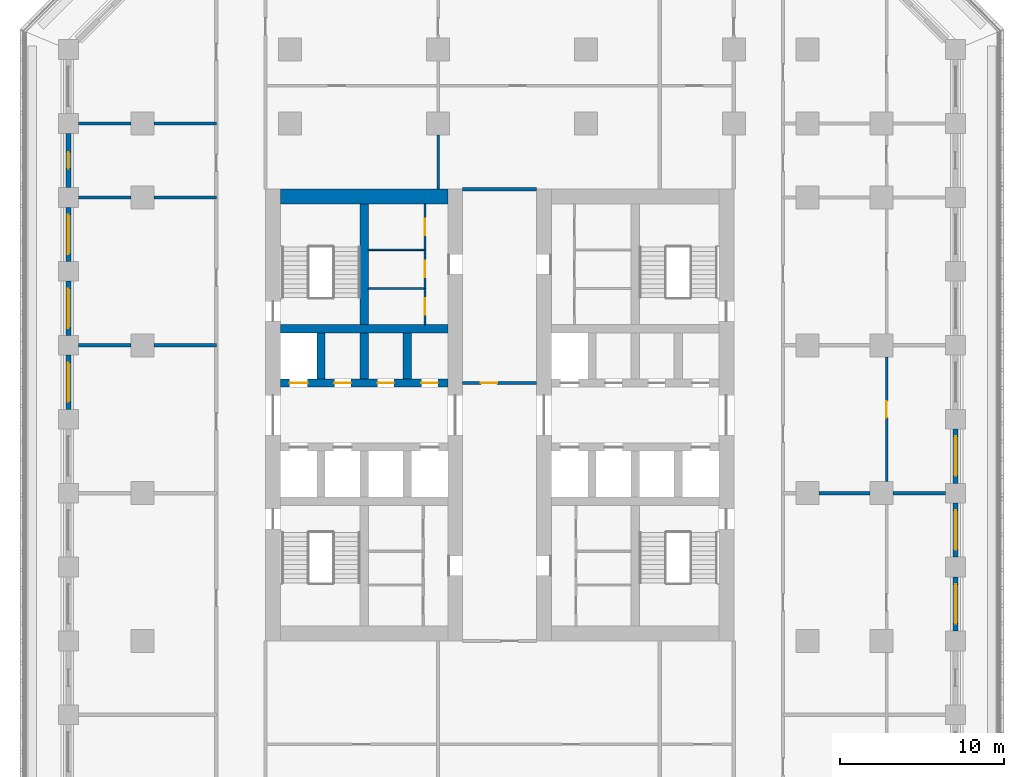
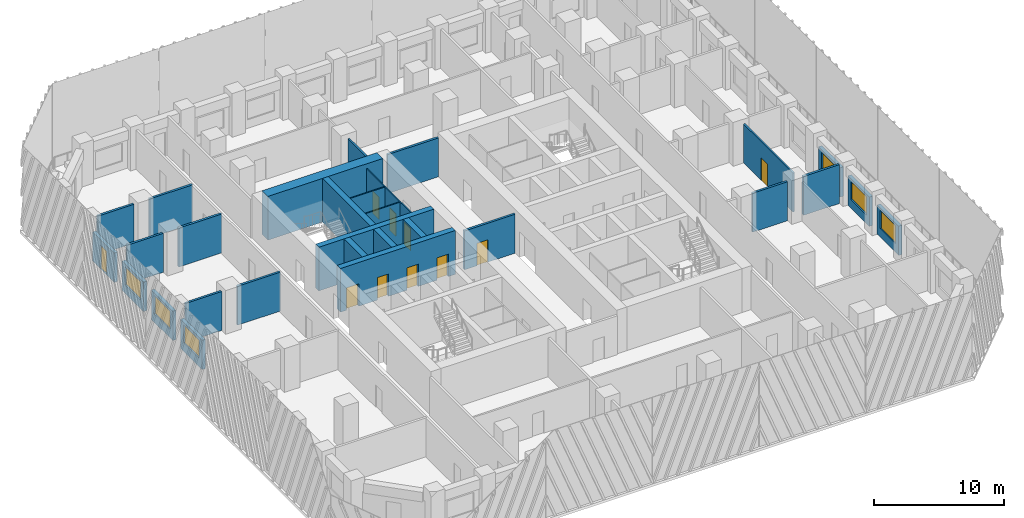
# One storey, part 6 of 19: 31 walls, 10 doors, 6 windows, 16 openings.
"""IFC4 building model written with IfcOpenShell, lengths in metres."""

from ifc_helpers import new_model, si_unit, direction, frame, frame_2d, origin, place, context, subcontext, project, spatial, rectangle, extrude, material, layer, layer_set, type_object, element, fill, save


model = new_model("IFC4")

# Units and contexts
model_context = context("Model", 3, precision=1e-05, world=origin(), true_north=direction((0.0, 1.0)))
body_context = subcontext(model_context, "Body", "Model", "MODEL_VIEW")
ifc_project = project(units=[si_unit("LENGTHUNIT", "METRE"), si_unit("AREAUNIT", "SQUARE_METRE"), si_unit("VOLUMEUNIT", "CUBIC_METRE"), si_unit("PLANEANGLEUNIT", "RADIAN"), si_unit("MASSUNIT", "GRAM", prefix="KILO")], contexts=[model_context])

# Site, building, storey
site_placement = place(None, origin())
site = spatial("IfcSite", under=ifc_project, at=site_placement, CompositionType="ELEMENT")
building_placement = place(site_placement, origin())
building = spatial("IfcBuilding", under=site, at=building_placement, Name="Corbel Stack Research Tower", CompositionType="ELEMENT")
storey_placement = place(building_placement, frame((0.0, 0.0, 90.199951171875)))
storey = spatial("IfcBuildingStorey", under=building, at=storey_placement, Name="L20", CompositionType="ELEMENT", Elevation=90.199951171875)

# Wall, openings, doors
ifc_material_1 = material(Name="Concrete C70/85", Category="concrete")
ifc_layer_1 = layer(ifc_material_1, 0.5)
ifc_layer_set_1 = layer_set([ifc_layer_1], Name="Concrete C70/85")
wall_type_1 = type_object("IfcWallType", Name="CW-500-70", PredefinedType="SHEAR", material=ifc_layer_set_1)
wall_1_placement = place(storey_placement, frame((-9.60009765625, 6.699951171875, 0.0), z_axis=(0.0, 0.0, 1.0), x_axis=(1.0, 0.0, 0.0)))
wall_1 = element("IfcWall", 1, at=wall_1_placement, inside=storey, type_object=wall_type_1, Name="West core wall, lobby north L20", PredefinedType="SHEAR", context=body_context, shape_type="SweptSolid", body=[
    extrude(rectangle(XDim=10.2001953125, YDim=0.5, at=frame_2d((5.10009765625, 0.0))), origin(), (0.0, 0.0, 1.0), 4.10009765625),
])
opening_1_placement = place(wall_1_placement, frame((0.5625, 0.0, 0.0)))
opening_1 = element("IfcOpeningElement", 2, at=opening_1_placement, cuts=wall_1, Name="Opening LD-LR2", PredefinedType="OPENING", context=body_context, shape_type="SweptSolid", body=[
    extrude(rectangle(XDim=1.10009765625, YDim=2.10009765625, at=frame_2d((0.550048828125, 1.050048828125))), frame((0.0, 0.260009765625, 0.0), z_axis=(0.0, -1.0, 0.0), x_axis=(1.0, 0.0, 0.0)), (0.0, 0.0, 1.0), 0.52001953125),
])
opening_2_placement = place(wall_1_placement, frame((3.28759765625, 0.0, 0.0)))
opening_2 = element("IfcOpeningElement", 3, at=opening_2_placement, cuts=wall_1, Name="Opening CR-W12-N2", PredefinedType="OPENING", context=body_context, shape_type="SweptSolid", body=[
    extrude(rectangle(XDim=1.0, YDim=2.10009765625, at=frame_2d((0.5, 1.050048828125))), frame((0.0, 0.260009765625, 0.0), z_axis=(0.0, -1.0, 0.0), x_axis=(1.0, 0.0, 0.0)), (0.0, 0.0, 1.0), 0.52001953125),
])
opening_3_placement = place(wall_1_placement, frame((5.91259765625, 0.0, 0.0)))
opening_3 = element("IfcOpeningElement", 4, at=opening_3_placement, cuts=wall_1, Name="Opening CR-W12-N3", PredefinedType="OPENING", context=body_context, shape_type="SweptSolid", body=[
    extrude(rectangle(XDim=1.0, YDim=2.10009765625, at=frame_2d((0.5, 1.050048828125))), frame((0.0, 0.260009765625, 0.0), z_axis=(0.0, -1.0, 0.0), x_axis=(1.0, 0.0, 0.0)), (0.0, 0.0, 1.0), 0.52001953125),
])
opening_4_placement = place(wall_1_placement, frame((8.58740234375, 0.0, 0.0)))
opening_4 = element("IfcOpeningElement", 5, at=opening_4_placement, cuts=wall_1, Name="Opening CR-W12-N4", PredefinedType="OPENING", context=body_context, shape_type="SweptSolid", body=[
    extrude(rectangle(XDim=1.0, YDim=2.10009765625, at=frame_2d((0.5, 1.050048828125))), frame((0.0, 0.260009765625, 0.0), z_axis=(0.0, -1.0, 0.0), x_axis=(1.0, 0.0, 0.0)), (0.0, 0.0, 1.0), 0.52001953125),
])
ifc_material_2 = material(Name="Stainless steel landing door", Category="steel")
door_type_1 = type_object("IfcDoorType", Name="Lift landing door 1100 x 2100", OperationType="DOUBLE_DOOR_SLIDING", PredefinedType="DOOR", material=ifc_material_2)
door_1_placement = place(opening_1_placement, origin())
door_1 = element("IfcDoor", 6, at=door_1_placement, inside=storey, type_object=door_type_1, Name="Landing door LR2", OperationType="DOUBLE_DOOR_SLIDING", OverallHeight=2.10009765625, OverallWidth=1.10009765625, PredefinedType="DOOR", context=body_context, shape_type="SweptSolid", body=[
    extrude(rectangle(XDim=1.10009765625, YDim=2.10009765625, at=frame_2d((0.550048828125, 1.050048828125))), frame((0.0, 0.02490234375, 0.0), z_axis=(0.0, -1.0, 0.0), x_axis=(1.0, 0.0, 0.0)), (0.0, 0.0, 1.0), 0.050048828125),
])
fill(opening_1, door_1)
ifc_material_3 = material(Name="Painted steel door", Category="steel")
door_type_2 = type_object("IfcDoorType", Name="Service door 1000 x 2100 FD60 left hand", OperationType="SINGLE_SWING_LEFT", PredefinedType="DOOR", material=ifc_material_3)
door_2_placement = place(opening_3_placement, origin())
door_2 = element("IfcDoor", 7, at=door_2_placement, inside=storey, type_object=door_type_2, Name="Mechanical room door W core", OperationType="SINGLE_SWING_LEFT", OverallHeight=2.10009765625, OverallWidth=1.0, PredefinedType="DOOR", context=body_context, shape_type="SweptSolid", body=[
    extrude(rectangle(XDim=1.0, YDim=2.10009765625, at=frame_2d((0.5, 1.050048828125))), frame((0.0, 0.02490234375, 0.0), z_axis=(0.0, -1.0, 0.0), x_axis=(1.0, 0.0, 0.0)), (0.0, 0.0, 1.0), 0.050048828125),
])
fill(opening_3, door_2)
ifc_material_4 = material(Name="Painted steel door", Category="steel")
door_type_3 = type_object("IfcDoorType", Name="Service door 1000 x 2100 FD60 right hand", OperationType="SINGLE_SWING_RIGHT", PredefinedType="DOOR", material=ifc_material_4)
door_3_placement = place(opening_2_placement, origin())
door_3 = element("IfcDoor", 8, at=door_3_placement, inside=storey, type_object=door_type_3, Name="Vending bay door W core", OperationType="SINGLE_SWING_RIGHT", OverallHeight=2.10009765625, OverallWidth=1.0, PredefinedType="DOOR", context=body_context, shape_type="SweptSolid", body=[
    extrude(rectangle(XDim=1.0, YDim=2.10009765625, at=frame_2d((0.5, 1.050048828125))), frame((0.0, 0.02490234375, 0.0), z_axis=(0.0, -1.0, 0.0), x_axis=(1.0, 0.0, 0.0)), (0.0, 0.0, 1.0), 0.050048828125),
])
fill(opening_2, door_3)
door_4_placement = place(opening_4_placement, origin())
door_4 = element("IfcDoor", 9, at=door_4_placement, inside=storey, type_object=door_type_3, Name="Telecom room door W core", OperationType="SINGLE_SWING_RIGHT", OverallHeight=2.10009765625, OverallWidth=1.0, PredefinedType="DOOR", context=body_context, shape_type="SweptSolid", body=[
    extrude(rectangle(XDim=1.0, YDim=2.10009765625, at=frame_2d((0.5, 1.050048828125))), frame((0.0, 0.02490234375, 0.0), z_axis=(0.0, -1.0, 0.0), x_axis=(1.0, 0.0, 0.0)), (0.0, 0.0, 1.0), 0.050048828125),
])
fill(opening_4, door_4)

# Walls
wall_2_placement = place(storey_placement, frame((-9.60009765625, 10.0, 0.0), z_axis=(0.0, 0.0, 1.0), x_axis=(1.0, 0.0, 0.0)))
element("IfcWall", 10, at=wall_2_placement, inside=storey, type_object=wall_type_1, Name="West core wall, north row back L20", PredefinedType="SHEAR", context=body_context, shape_type="SweptSolid", body=[
    extrude(rectangle(XDim=10.2001953125, YDim=0.5, at=frame_2d((5.10009765625, 0.0))), origin(), (0.0, 0.0, 1.0), 4.10009765625),
])
for number, where, z_axis, x_axis, name in (
    (11, (-7.125, 6.949951171875, 0.0), (0.0, 0.0, 1.0), (0.0, 1.0, 0.0), "West core wall, north shaft 1 L20"),
    (12, (-4.5, 6.949951171875, 0.0), (0.0, 0.0, 1.0), (0.0, 1.0, 0.0), "West core wall, north shaft 2 L20"),
    (13, (-1.875, 6.949951171875, 0.0), (0.0, 0.0, 1.0), (0.0, 1.0, 0.0), "West core wall, north shaft 3 L20"),
):
    element("IfcWall", number, at=place(storey_placement, frame(where, z_axis=z_axis, x_axis=x_axis)), inside=storey, type_object=wall_type_1, Name=name, PredefinedType="SHEAR", context=body_context, shape_type="SweptSolid", body=[
        extrude(rectangle(XDim=2.800048828125, YDim=0.5, at=frame_2d((1.39990234375, 0.0))), origin(), (0.0, 0.0, 1.0), 4.10009765625),
    ])
wall_3_placement = place(storey_placement, frame((-4.5, 10.25, 0.0), z_axis=(0.0, 0.0, 1.0), x_axis=(0.0, 1.0, 0.0)))
element("IfcWall", 14, at=wall_3_placement, inside=storey, type_object=wall_type_1, Name="West core wall, north stair and riser L20", PredefinedType="SHEAR", context=body_context, shape_type="SweptSolid", body=[
    extrude(rectangle(XDim=7.35009765625, YDim=0.5, at=frame_2d((3.675048828125, 0.0))), origin(), (0.0, 0.0, 1.0), 4.10009765625),
])
ifc_material_5 = material(Name="Concrete C70/85", Category="concrete")
ifc_layer_2 = layer(ifc_material_5, 0.89990234375)
ifc_layer_set_2 = layer_set([ifc_layer_2], Name="Concrete C70/85")
wall_type_2 = type_object("IfcWallType", Name="CW-900-70", PredefinedType="SHEAR", material=ifc_layer_set_2)
wall_4_placement = place(storey_placement, frame((-9.60009765625, 18.050048828125, 0.0), z_axis=(0.0, 0.0, 1.0), x_axis=(1.0, 0.0, 0.0)))
element("IfcWall", 15, at=wall_4_placement, inside=storey, type_object=wall_type_2, Name="West core wall, north end L20", PredefinedType="SHEAR", context=body_context, shape_type="SweptSolid", body=[
    extrude(rectangle(XDim=10.2001953125, YDim=0.89990234375, at=frame_2d((5.10009765625, 0.0))), origin(), (0.0, 0.0, 1.0), 4.10009765625),
])

# Wall, opening, door
ifc_material_6 = material(Name="Gypsum board")
ifc_layer_3 = layer(ifc_material_6, 0.10009765625)
ifc_layer_set_3 = layer_set([ifc_layer_3], Name="Gypsum board")
wall_type_3 = type_object("IfcWallType", Name="Core partition 100", PredefinedType="PARTITIONING", material=ifc_layer_set_3)
wall_5_placement = place(storey_placement, frame((-0.800048828125, 10.25, 0.0), z_axis=(0.0, 0.0, 1.0), x_axis=(0.0, 1.0, 0.0)))
wall_5 = element("IfcWall", 16, at=wall_5_placement, inside=storey, type_object=wall_type_3, Name="Core partition W", PredefinedType="PARTITIONING", context=body_context, shape_type="SweptSolid", body=[
    extrude(rectangle(XDim=2.205078125, YDim=0.10009765625, at=frame_2d((1.1025390625, 0.0))), origin(), (0.0, 0.0, 1.0), 3.650146484375),
])
opening_5_placement = place(wall_5_placement, frame((0.6025390625, 0.0, 0.0)))
opening_5 = element("IfcOpeningElement", 17, at=opening_5_placement, cuts=wall_5, Name="Opening CR-W12-R2-1000", PredefinedType="OPENING", context=body_context, shape_type="SweptSolid", body=[
    extrude(rectangle(XDim=1.0, YDim=2.10009765625, at=frame_2d((0.5, 1.050048828125))), frame((0.0, 0.06005859375, 0.0), z_axis=(0.0, -1.0, 0.0), x_axis=(1.0, 0.0, 0.0)), (0.0, 0.0, 1.0), 0.1201171875),
])
ifc_material_7 = material(Name="Painted steel door", Category="steel")
door_type_4 = type_object("IfcDoorType", Name="Riser door 1000 x 2100 FD60 right hand", OperationType="SINGLE_SWING_RIGHT", PredefinedType="DOOR", material=ifc_material_7)
door_5_placement = place(opening_5_placement, origin())
door_5 = element("IfcDoor", 18, at=door_5_placement, inside=storey, type_object=door_type_4, Name="Mechanical riser door W core", OperationType="SINGLE_SWING_RIGHT", OverallHeight=2.10009765625, OverallWidth=1.0, PredefinedType="DOOR", context=body_context, shape_type="SweptSolid", body=[
    extrude(rectangle(XDim=1.0, YDim=2.10009765625, at=frame_2d((0.5, 1.050048828125))), frame((0.0, 0.02490234375, 0.0), z_axis=(0.0, -1.0, 0.0), x_axis=(1.0, 0.0, 0.0)), (0.0, 0.0, 1.0), 0.050048828125),
])
fill(opening_5, door_5)

wall_6_placement = place(storey_placement, frame((-0.800048828125, 12.455078125, 0.0), z_axis=(0.0, 0.0, 1.0), x_axis=(0.0, 1.0, 0.0)))
wall_6 = element("IfcWall", 19, at=wall_6_placement, inside=storey, type_object=wall_type_3, Name="Core partition W", PredefinedType="PARTITIONING", context=body_context, shape_type="SweptSolid", body=[
    extrude(rectangle(XDim=2.351806640625, YDim=0.10009765625, at=frame_2d((1.17578125, 0.0))), origin(), (0.0, 0.0, 1.0), 3.650146484375),
])
opening_6_placement = place(wall_6_placement, frame((0.676025390625, 0.0, 0.0)))
opening_6 = element("IfcOpeningElement", 20, at=opening_6_placement, cuts=wall_6, Name="Opening CR-W12-R3-1000", PredefinedType="OPENING", context=body_context, shape_type="SweptSolid", body=[
    extrude(rectangle(XDim=1.0, YDim=2.10009765625, at=frame_2d((0.5, 1.050048828125))), frame((0.0, 0.06005859375, 0.0), z_axis=(0.0, -1.0, 0.0), x_axis=(1.0, 0.0, 0.0)), (0.0, 0.0, 1.0), 0.1201171875),
])
ifc_material_8 = material(Name="Painted steel door", Category="steel")
door_type_5 = type_object("IfcDoorType", Name="Service door 1000 x 2100 FD30 left hand", OperationType="SINGLE_SWING_LEFT", PredefinedType="DOOR", material=ifc_material_8)
door_6_placement = place(opening_6_placement, origin())
door_6 = element("IfcDoor", 21, at=door_6_placement, inside=storey, type_object=door_type_5, Name="Pantry door W core", OperationType="SINGLE_SWING_LEFT", OverallHeight=2.10009765625, OverallWidth=1.0, PredefinedType="DOOR", context=body_context, shape_type="SweptSolid", body=[
    extrude(rectangle(XDim=1.0, YDim=2.10009765625, at=frame_2d((0.5, 1.050048828125))), frame((0.0, 0.02490234375, 0.0), z_axis=(0.0, -1.0, 0.0), x_axis=(1.0, 0.0, 0.0)), (0.0, 0.0, 1.0), 0.050048828125),
])
fill(opening_6, door_6)

wall_7_placement = place(storey_placement, frame((-0.800048828125, 14.806884765625, 0.0), z_axis=(0.0, 0.0, 1.0), x_axis=(0.0, 1.0, 0.0)))
wall_7 = element("IfcWall", 22, at=wall_7_placement, inside=storey, type_object=wall_type_3, Name="Core partition W", PredefinedType="PARTITIONING", context=body_context, shape_type="SweptSolid", body=[
    extrude(rectangle(XDim=2.793212890625, YDim=0.10009765625, at=frame_2d((1.396484375, 0.0))), origin(), (0.0, 0.0, 1.0), 3.650146484375),
])
opening_7_placement = place(wall_7_placement, frame((0.896484375, 0.0, 0.0)))
opening_7 = element("IfcOpeningElement", 23, at=opening_7_placement, cuts=wall_7, Name="Opening CR-W12-R4-1000", PredefinedType="OPENING", context=body_context, shape_type="SweptSolid", body=[
    extrude(rectangle(XDim=1.0, YDim=2.10009765625, at=frame_2d((0.5, 1.050048828125))), frame((0.0, 0.06005859375, 0.0), z_axis=(0.0, -1.0, 0.0), x_axis=(1.0, 0.0, 0.0)), (0.0, 0.0, 1.0), 0.1201171875),
])
door_7_placement = place(opening_7_placement, origin())
door_7 = element("IfcDoor", 24, at=door_7_placement, inside=storey, type_object=door_type_4, Name="Electrical riser door W core", OperationType="SINGLE_SWING_RIGHT", OverallHeight=2.10009765625, OverallWidth=1.0, PredefinedType="DOOR", context=body_context, shape_type="SweptSolid", body=[
    extrude(rectangle(XDim=1.0, YDim=2.10009765625, at=frame_2d((0.5, 1.050048828125))), frame((0.0, 0.02490234375, 0.0), z_axis=(0.0, -1.0, 0.0), x_axis=(1.0, 0.0, 0.0)), (0.0, 0.0, 1.0), 0.050048828125),
])
fill(opening_7, door_7)

# Walls
for number, where, z_axis, x_axis, name in (
    (25, (-4.25, 12.455078125, 0.0), (0.0, 0.0, 1.0), (1.0, 0.0, 0.0), "Core partition W"),
    (26, (-4.25, 14.806884765625, 0.0), (0.0, 0.0, 1.0), (1.0, 0.0, 0.0), "Core partition W"),
):
    element("IfcWall", number, at=place(storey_placement, frame(where, z_axis=z_axis, x_axis=x_axis)), inside=storey, type_object=wall_type_3, Name=name, PredefinedType="PARTITIONING", context=body_context, shape_type="SweptSolid", body=[
        extrude(rectangle(XDim=3.449951171875, YDim=0.10009765625, at=frame_2d((1.72509765625, 0.0))), origin(), (0.0, 0.0, 1.0), 3.650146484375),
    ])
ifc_material_9 = material(Name="Fire-rated gypsum board partition on steel studs", Category="steel")
ifc_layer_4 = layer(ifc_material_9, 0.199951171875)
ifc_layer_set_4 = layer_set([ifc_layer_4], Name="Fire-rated gypsum board partition on steel studs")
wall_type_4 = type_object("IfcWallType", Name="Fire-rated partition 200 EI 60", PredefinedType="PARTITIONING", material=ifc_layer_set_4)
wall_8_placement = place(storey_placement, frame((23.199951171875, 0.0, 0.0), z_axis=(0.0, 0.0, 1.0), x_axis=(1.0, 0.0, 0.0)))
element("IfcWall", 27, at=wall_8_placement, inside=storey, type_object=wall_type_4, Name="Partition L20-030", PredefinedType="PARTITIONING", context=body_context, shape_type="SweptSolid", body=[
    extrude(rectangle(XDim=3.10009765625, YDim=0.199951171875, at=frame_2d((1.550048828125, 0.0))), origin(), (0.0, 0.0, 1.0), 3.650146484375),
])
wall_9_placement = place(storey_placement, frame((27.699951171875, 0.0, 0.0), z_axis=(0.0, 0.0, 1.0), x_axis=(1.0, 0.0, 0.0)))
element("IfcWall", 28, at=wall_9_placement, inside=storey, type_object=wall_type_4, Name="Partition L20-031", PredefinedType="PARTITIONING", context=body_context, shape_type="SweptSolid", body=[
    extrude(rectangle(XDim=3.199951171875, YDim=0.199951171875, at=frame_2d((1.60009765625, 0.0))), origin(), (0.0, 0.0, 1.0), 3.650146484375),
])

# Wall, opening, door
wall_10_placement = place(storey_placement, frame((1.5, 6.699951171875, 0.0), z_axis=(0.0, 0.0, 1.0), x_axis=(1.0, 0.0, 0.0)))
wall_10 = element("IfcWall", 29, at=wall_10_placement, inside=storey, type_object=wall_type_4, Name="Partition L20-032", PredefinedType="PARTITIONING", context=body_context, shape_type="SweptSolid", body=[
    extrude(rectangle(XDim=4.5, YDim=0.199951171875, at=frame_2d((2.25, 0.0))), origin(), (0.0, 0.0, 1.0), 3.650146484375),
])
opening_8_placement = place(wall_10_placement, frame((1.10009765625, 0.0, 0.0)))
opening_8 = element("IfcOpeningElement", 30, at=opening_8_placement, cuts=wall_10, Name="Opening B3V1-014", PredefinedType="OPENING", context=body_context, shape_type="SweptSolid", body=[
    extrude(rectangle(XDim=1.0, YDim=2.10009765625, at=frame_2d((0.5, 1.050048828125))), frame((0.0, 0.10986328125, 0.0), z_axis=(0.0, -1.0, 0.0), x_axis=(1.0, 0.0, 0.0)), (0.0, 0.0, 1.0), 0.219970703125),
])
ifc_material_10 = material(Name="Painted steel fire door", Category="steel")
door_type_6 = type_object("IfcDoorType", Name="Fire door FD30S 1000 x 2100", OperationType="NOTDEFINED", PredefinedType="DOOR", material=ifc_material_10)
door_8_placement = place(opening_8_placement, origin())
door_8 = element("IfcDoor", 31, at=door_8_placement, inside=storey, type_object=door_type_6, Name="Door B3V1-014", OperationType="SINGLE_SWING_LEFT", OverallHeight=2.10009765625, OverallWidth=1.0, PredefinedType="DOOR", context=body_context, shape_type="SweptSolid", body=[
    extrude(rectangle(XDim=1.0, YDim=2.10009765625, at=frame_2d((0.5, 1.050048828125))), frame((0.0, 0.02490234375, 0.0), z_axis=(0.0, -1.0, 0.0), x_axis=(1.0, 0.0, 0.0)), (0.0, 0.0, 1.0), 0.050048828125),
])
fill(opening_8, door_8)

# Walls
wall_11_placement = place(storey_placement, frame((-21.89990234375, 9.0, 0.0), z_axis=(0.0, 0.0, 1.0), x_axis=(1.0, 0.0, 0.0)))
element("IfcWall", 32, at=wall_11_placement, inside=storey, type_object=wall_type_4, Name="Partition L20-033", PredefinedType="PARTITIONING", context=body_context, shape_type="SweptSolid", body=[
    extrude(rectangle(XDim=3.199951171875, YDim=0.199951171875, at=frame_2d((1.60009765625, 0.0))), origin(), (0.0, 0.0, 1.0), 3.650146484375),
])
wall_12_placement = place(storey_placement, frame((-17.300048828125, 9.0, 0.0), z_axis=(0.0, 0.0, 1.0), x_axis=(1.0, 0.0, 0.0)))
element("IfcWall", 33, at=wall_12_placement, inside=storey, type_object=wall_type_4, Name="Partition L20-034", PredefinedType="PARTITIONING", context=body_context, shape_type="SweptSolid", body=[
    extrude(rectangle(XDim=3.800048828125, YDim=0.199951171875, at=frame_2d((1.89990234375, 0.0))), origin(), (0.0, 0.0, 1.0), 3.650146484375),
])
wall_13_placement = place(storey_placement, frame((-21.89990234375, 18.0, 0.0), z_axis=(0.0, 0.0, 1.0), x_axis=(1.0, 0.0, 0.0)))
element("IfcWall", 34, at=wall_13_placement, inside=storey, type_object=wall_type_4, Name="Partition L20-038", PredefinedType="PARTITIONING", context=body_context, shape_type="SweptSolid", body=[
    extrude(rectangle(XDim=3.199951171875, YDim=0.199951171875, at=frame_2d((1.60009765625, 0.0))), origin(), (0.0, 0.0, 1.0), 3.650146484375),
])
wall_14_placement = place(storey_placement, frame((-17.300048828125, 18.0, 0.0), z_axis=(0.0, 0.0, 1.0), x_axis=(1.0, 0.0, 0.0)))
element("IfcWall", 35, at=wall_14_placement, inside=storey, type_object=wall_type_4, Name="Partition L20-039", PredefinedType="PARTITIONING", context=body_context, shape_type="SweptSolid", body=[
    extrude(rectangle(XDim=3.800048828125, YDim=0.199951171875, at=frame_2d((1.89990234375, 0.0))), origin(), (0.0, 0.0, 1.0), 3.650146484375),
])
wall_15_placement = place(storey_placement, frame((1.5, 18.5, 0.0), z_axis=(0.0, 0.0, 1.0), x_axis=(1.0, 0.0, 0.0)))
element("IfcWall", 36, at=wall_15_placement, inside=storey, type_object=wall_type_4, Name="Partition L20-043", PredefinedType="PARTITIONING", context=body_context, shape_type="SweptSolid", body=[
    extrude(rectangle(XDim=4.5, YDim=0.199951171875, at=frame_2d((2.25, 0.0))), origin(), (0.0, 0.0, 1.0), 3.650146484375),
])
wall_16_placement = place(storey_placement, frame((-21.89990234375, 22.5, 0.0), z_axis=(0.0, 0.0, 1.0), x_axis=(1.0, 0.0, 0.0)))
element("IfcWall", 37, at=wall_16_placement, inside=storey, type_object=wall_type_4, Name="Partition L20-044", PredefinedType="PARTITIONING", context=body_context, shape_type="SweptSolid", body=[
    extrude(rectangle(XDim=3.199951171875, YDim=0.199951171875, at=frame_2d((1.60009765625, 0.0))), origin(), (0.0, 0.0, 1.0), 3.650146484375),
])
wall_17_placement = place(storey_placement, frame((-17.300048828125, 22.5, 0.0), z_axis=(0.0, 0.0, 1.0), x_axis=(1.0, 0.0, 0.0)))
element("IfcWall", 38, at=wall_17_placement, inside=storey, type_object=wall_type_4, Name="Partition L20-045", PredefinedType="PARTITIONING", context=body_context, shape_type="SweptSolid", body=[
    extrude(rectangle(XDim=3.800048828125, YDim=0.199951171875, at=frame_2d((1.89990234375, 0.0))), origin(), (0.0, 0.0, 1.0), 3.650146484375),
])
ifc_material_11 = material(Name="Gypsum board partition on steel studs", Category="steel")
ifc_layer_5 = layer(ifc_material_11, 0.14990234375)
ifc_layer_set_5 = layer_set([ifc_layer_5], Name="Gypsum board partition on steel studs")
wall_type_5 = type_object("IfcWallType", Name="Partition 150", PredefinedType="PARTITIONING", material=ifc_layer_set_5)
wall_18_placement = place(storey_placement, frame((0.0, 18.5, 0.0), z_axis=(0.0, 0.0, 1.0), x_axis=(0.0, 1.0, 0.0)))
element("IfcWall", 39, at=wall_18_placement, inside=storey, type_object=wall_type_5, Name="Partition L20-004", PredefinedType="PARTITIONING", context=body_context, shape_type="SweptSolid", body=[
    extrude(rectangle(XDim=3.300048828125, YDim=0.14990234375, at=frame_2d((1.64990234375, 0.0))), origin(), (0.0, 0.0, 1.0), 3.650146484375),
])

# Wall, opening, door
wall_19_placement = place(storey_placement, frame((27.300048828125, 8.300048828125, 0.0), z_axis=(0.0, 0.0, 1.0), x_axis=(0.0, -1.0, 0.0)))
wall_19 = element("IfcWall", 40, at=wall_19_placement, inside=storey, type_object=wall_type_5, Name="Partition L20-019", PredefinedType="PARTITIONING", context=body_context, shape_type="SweptSolid", body=[
    extrude(rectangle(XDim=7.60009765625, YDim=0.14990234375, at=frame_2d((3.800048828125, 0.0))), origin(), (0.0, 0.0, 1.0), 3.650146484375),
])
opening_9_placement = place(wall_19_placement, frame((2.699951171875, 0.0, 0.0)))
opening_9 = element("IfcOpeningElement", 41, at=opening_9_placement, cuts=wall_19, Name="Opening B3V1-028", PredefinedType="OPENING", context=body_context, shape_type="SweptSolid", body=[
    extrude(rectangle(XDim=1.0, YDim=2.10009765625, at=frame_2d((0.5, 1.050048828125))), frame((0.0, 0.0849609375, 0.0), z_axis=(0.0, -1.0, 0.0), x_axis=(1.0, 0.0, 0.0)), (0.0, 0.0, 1.0), 0.169921875),
])
ifc_material_12 = material(Name="Painted timber door", Category="wood")
door_type_7 = type_object("IfcDoorType", Name="Single door 1000 x 2100", OperationType="NOTDEFINED", PredefinedType="DOOR", material=ifc_material_12)
door_9_placement = place(opening_9_placement, origin())
door_9 = element("IfcDoor", 42, at=door_9_placement, inside=storey, type_object=door_type_7, Name="Door B3V1-028", OperationType="SINGLE_SWING_LEFT", OverallHeight=2.10009765625, OverallWidth=1.0, PredefinedType="DOOR", context=body_context, shape_type="SweptSolid", body=[
    extrude(rectangle(XDim=1.0, YDim=2.10009765625, at=frame_2d((0.5, 1.050048828125))), frame((0.0, 0.02490234375, 0.0), z_axis=(0.0, -1.0, 0.0), x_axis=(1.0, 0.0, 0.0)), (0.0, 0.0, 1.0), 0.050048828125),
])
fill(opening_9, door_9)

# Wall, opening, window
ifc_material_13 = material(Name="Concrete C45/55", Category="concrete")
ifc_layer_6 = layer(ifc_material_13, 0.300048828125)
ifc_layer_set_6 = layer_set([ifc_layer_6], Name="Concrete C45/55")
wall_type_6 = type_object("IfcWallType", Name="Terracotta-faced concrete wall 300", PredefinedType="SOLIDWALL", material=ifc_layer_set_6)
wall_20_placement = place(storey_placement, frame((31.5, -5.10009765625, 0.0), z_axis=(0.0, 0.0, 1.0), x_axis=(0.0, -1.0, 0.0)))
wall_20 = element("IfcWall", 43, at=wall_20_placement, inside=storey, type_object=wall_type_6, Name="Facade wall L20 E03", PredefinedType="SOLIDWALL", context=body_context, shape_type="SweptSolid", body=[
    extrude(rectangle(XDim=3.2998046875, YDim=0.300048828125, at=frame_2d((1.64990234375, 0.0))), origin(), (0.0, 0.0, 1.0), 2.75),
])
opening_10_placement = place(wall_20_placement, frame((0.449951171875, 0.0, 0.800048828125)))
opening_10 = element("IfcOpeningElement", 44, at=opening_10_placement, cuts=wall_20, Name="Opening W1", PredefinedType="OPENING", context=body_context, shape_type="SweptSolid", body=[
    extrude(rectangle(XDim=2.39990234375, YDim=1.699951171875, at=frame_2d((1.199951171875, 0.85009765625))), frame((0.0, 0.159912109375, 0.0), z_axis=(0.0, -1.0, 0.0), x_axis=(1.0, 0.0, 0.0)), (0.0, 0.0, 1.0), 0.320068359375),
])
ifc_material_14 = material(Name="Aluminium frame, clear double glazing", Category="aluminium")
window_type = type_object("IfcWindowType", Name="Window W1 2400 x 1700", PartitioningType="SINGLE_PANEL", PredefinedType="WINDOW", material=ifc_material_14)
window_1_placement = place(opening_10_placement, origin())
window_1 = element("IfcWindow", 45, at=window_1_placement, inside=storey, type_object=window_type, Name="Window W1 L20 E03", OverallHeight=1.699951171875, OverallWidth=2.39990234375, PartitioningType="SINGLE_PANEL", PredefinedType="WINDOW", context=body_context, shape_type="SweptSolid", body=[
    extrude(rectangle(XDim=2.39990234375, YDim=1.699951171875, at=frame_2d((1.199951171875, 0.85009765625))), frame((0.0, 0.030029296875, 0.0), z_axis=(0.0, -1.0, 0.0), x_axis=(1.0, 0.0, 0.0)), (0.0, 0.0, 1.0), 0.06005859375),
])
fill(opening_10, window_1)

wall_21_placement = place(storey_placement, frame((31.5, -0.60009765625, 0.0), z_axis=(0.0, 0.0, 1.0), x_axis=(0.0, -1.0, 0.0)))
wall_21 = element("IfcWall", 46, at=wall_21_placement, inside=storey, type_object=wall_type_6, Name="Facade wall L20 E04", PredefinedType="SOLIDWALL", context=body_context, shape_type="SweptSolid", body=[
    extrude(rectangle(XDim=3.2998046875, YDim=0.300048828125, at=frame_2d((1.64990234375, 0.0))), origin(), (0.0, 0.0, 1.0), 2.75),
])
opening_11_placement = place(wall_21_placement, frame((0.449951171875, 0.0, 0.800048828125)))
opening_11 = element("IfcOpeningElement", 47, at=opening_11_placement, cuts=wall_21, Name="Opening W1", PredefinedType="OPENING", context=body_context, shape_type="SweptSolid", body=[
    extrude(rectangle(XDim=2.39990234375, YDim=1.699951171875, at=frame_2d((1.199951171875, 0.85009765625))), frame((0.0, 0.159912109375, 0.0), z_axis=(0.0, -1.0, 0.0), x_axis=(1.0, 0.0, 0.0)), (0.0, 0.0, 1.0), 0.320068359375),
])
window_2_placement = place(opening_11_placement, origin())
window_2 = element("IfcWindow", 48, at=window_2_placement, inside=storey, type_object=window_type, Name="Window W1 L20 E04", OverallHeight=1.699951171875, OverallWidth=2.39990234375, PartitioningType="SINGLE_PANEL", PredefinedType="WINDOW", context=body_context, shape_type="SweptSolid", body=[
    extrude(rectangle(XDim=2.39990234375, YDim=1.699951171875, at=frame_2d((1.199951171875, 0.85009765625))), frame((0.0, 0.030029296875, 0.0), z_axis=(0.0, -1.0, 0.0), x_axis=(1.0, 0.0, 0.0)), (0.0, 0.0, 1.0), 0.06005859375),
])
fill(opening_11, window_2)

wall_22_placement = place(storey_placement, frame((31.5, 3.89990234375, 0.0), z_axis=(0.0, 0.0, 1.0), x_axis=(0.0, -1.0, 0.0)))
wall_22 = element("IfcWall", 49, at=wall_22_placement, inside=storey, type_object=wall_type_6, Name="Facade wall L20 E05", PredefinedType="SOLIDWALL", context=body_context, shape_type="SweptSolid", body=[
    extrude(rectangle(XDim=3.2998046875, YDim=0.300048828125, at=frame_2d((1.64990234375, 0.0))), origin(), (0.0, 0.0, 1.0), 2.75),
])
opening_12_placement = place(wall_22_placement, frame((0.449951171875, 0.0, 0.800048828125)))
opening_12 = element("IfcOpeningElement", 50, at=opening_12_placement, cuts=wall_22, Name="Opening W1", PredefinedType="OPENING", context=body_context, shape_type="SweptSolid", body=[
    extrude(rectangle(XDim=2.39990234375, YDim=1.699951171875, at=frame_2d((1.199951171875, 0.85009765625))), frame((0.0, 0.159912109375, 0.0), z_axis=(0.0, -1.0, 0.0), x_axis=(1.0, 0.0, 0.0)), (0.0, 0.0, 1.0), 0.320068359375),
])
window_3_placement = place(opening_12_placement, origin())
window_3 = element("IfcWindow", 51, at=window_3_placement, inside=storey, type_object=window_type, Name="Window W1 L20 E05", OverallHeight=1.699951171875, OverallWidth=2.39990234375, PartitioningType="SINGLE_PANEL", PredefinedType="WINDOW", context=body_context, shape_type="SweptSolid", body=[
    extrude(rectangle(XDim=2.39990234375, YDim=1.699951171875, at=frame_2d((1.199951171875, 0.85009765625))), frame((0.0, 0.030029296875, 0.0), z_axis=(0.0, -1.0, 0.0), x_axis=(1.0, 0.0, 0.0)), (0.0, 0.0, 1.0), 0.06005859375),
])
fill(opening_12, window_3)

# Wall, opening, door
wall_23_placement = place(storey_placement, frame((-22.5, 18.60009765625, 0.0), z_axis=(0.0, 0.0, 1.0), x_axis=(0.0, 1.0, 0.0)))
wall_23 = element("IfcWall", 52, at=wall_23_placement, inside=storey, type_object=wall_type_6, Name="Facade wall L20 W02", PredefinedType="SOLIDWALL", context=body_context, shape_type="SweptSolid", body=[
    extrude(rectangle(XDim=3.2998046875, YDim=0.300048828125, at=frame_2d((1.64990234375, 0.0))), origin(), (0.0, 0.0, 1.0), 2.75),
])
opening_13_placement = place(wall_23_placement, frame((1.14990234375, 0.0, 0.0)))
opening_13 = element("IfcOpeningElement", 53, at=opening_13_placement, cuts=wall_23, Name="Opening L20-B10", PredefinedType="OPENING", context=body_context, shape_type="SweptSolid", body=[
    extrude(rectangle(XDim=1.0, YDim=2.199951171875, at=frame_2d((0.5, 1.10009765625))), frame((0.0, 0.159912109375, 0.0), z_axis=(0.0, -1.0, 0.0), x_axis=(1.0, 0.0, 0.0)), (0.0, 0.0, 1.0), 0.320068359375),
])
ifc_material_15 = material(Name="Aluminium frame, clear double glazing", Category="aluminium")
door_type_8 = type_object("IfcDoorType", Name="Balcony door BD1 1000 x 2200", OperationType="NOTDEFINED", PredefinedType="DOOR", material=ifc_material_15)
door_10_placement = place(opening_13_placement, origin())
door_10 = element("IfcDoor", 54, at=door_10_placement, inside=storey, type_object=door_type_8, Name="Balcony door L20-B10", OperationType="SINGLE_SWING_RIGHT", OverallHeight=2.199951171875, OverallWidth=1.0, PredefinedType="DOOR", context=body_context, shape_type="SweptSolid", body=[
    extrude(rectangle(XDim=1.0, YDim=2.199951171875, at=frame_2d((0.5, 1.10009765625))), frame((0.0, 0.02490234375, 0.0), z_axis=(0.0, -1.0, 0.0), x_axis=(1.0, 0.0, 0.0)), (0.0, 0.0, 1.0), 0.050048828125),
])
fill(opening_13, door_10)

# Wall, opening, window
wall_24_placement = place(storey_placement, frame((-22.5, 14.10009765625, 0.0), z_axis=(0.0, 0.0, 1.0), x_axis=(0.0, 1.0, 0.0)))
wall_24 = element("IfcWall", 55, at=wall_24_placement, inside=storey, type_object=wall_type_6, Name="Facade wall L20 W03", PredefinedType="SOLIDWALL", context=body_context, shape_type="SweptSolid", body=[
    extrude(rectangle(XDim=3.2998046875, YDim=0.300048828125, at=frame_2d((1.64990234375, 0.0))), origin(), (0.0, 0.0, 1.0), 2.75),
])
opening_14_placement = place(wall_24_placement, frame((0.449951171875, 0.0, 0.800048828125)))
opening_14 = element("IfcOpeningElement", 56, at=opening_14_placement, cuts=wall_24, Name="Opening W1", PredefinedType="OPENING", context=body_context, shape_type="SweptSolid", body=[
    extrude(rectangle(XDim=2.39990234375, YDim=1.699951171875, at=frame_2d((1.199951171875, 0.85009765625))), frame((0.0, 0.159912109375, 0.0), z_axis=(0.0, -1.0, 0.0), x_axis=(1.0, 0.0, 0.0)), (0.0, 0.0, 1.0), 0.320068359375),
])
window_4_placement = place(opening_14_placement, origin())
window_4 = element("IfcWindow", 57, at=window_4_placement, inside=storey, type_object=window_type, Name="Window W1 L20 W03", OverallHeight=1.699951171875, OverallWidth=2.39990234375, PartitioningType="SINGLE_PANEL", PredefinedType="WINDOW", context=body_context, shape_type="SweptSolid", body=[
    extrude(rectangle(XDim=2.39990234375, YDim=1.699951171875, at=frame_2d((1.199951171875, 0.85009765625))), frame((0.0, 0.030029296875, 0.0), z_axis=(0.0, -1.0, 0.0), x_axis=(1.0, 0.0, 0.0)), (0.0, 0.0, 1.0), 0.06005859375),
])
fill(opening_14, window_4)

wall_25_placement = place(storey_placement, frame((-22.5, 9.60009765625, 0.0), z_axis=(0.0, 0.0, 1.0), x_axis=(0.0, 1.0, 0.0)))
wall_25 = element("IfcWall", 58, at=wall_25_placement, inside=storey, type_object=wall_type_6, Name="Facade wall L20 W04", PredefinedType="SOLIDWALL", context=body_context, shape_type="SweptSolid", body=[
    extrude(rectangle(XDim=3.2998046875, YDim=0.300048828125, at=frame_2d((1.64990234375, 0.0))), origin(), (0.0, 0.0, 1.0), 2.75),
])
opening_15_placement = place(wall_25_placement, frame((0.449951171875, 0.0, 0.800048828125)))
opening_15 = element("IfcOpeningElement", 59, at=opening_15_placement, cuts=wall_25, Name="Opening W1", PredefinedType="OPENING", context=body_context, shape_type="SweptSolid", body=[
    extrude(rectangle(XDim=2.39990234375, YDim=1.699951171875, at=frame_2d((1.199951171875, 0.85009765625))), frame((0.0, 0.159912109375, 0.0), z_axis=(0.0, -1.0, 0.0), x_axis=(1.0, 0.0, 0.0)), (0.0, 0.0, 1.0), 0.320068359375),
])
window_5_placement = place(opening_15_placement, origin())
window_5 = element("IfcWindow", 60, at=window_5_placement, inside=storey, type_object=window_type, Name="Window W1 L20 W04", OverallHeight=1.699951171875, OverallWidth=2.39990234375, PartitioningType="SINGLE_PANEL", PredefinedType="WINDOW", context=body_context, shape_type="SweptSolid", body=[
    extrude(rectangle(XDim=2.39990234375, YDim=1.699951171875, at=frame_2d((1.199951171875, 0.85009765625))), frame((0.0, 0.030029296875, 0.0), z_axis=(0.0, -1.0, 0.0), x_axis=(1.0, 0.0, 0.0)), (0.0, 0.0, 1.0), 0.06005859375),
])
fill(opening_15, window_5)

wall_26_placement = place(storey_placement, frame((-22.5, 5.10009765625, 0.0), z_axis=(0.0, 0.0, 1.0), x_axis=(0.0, 1.0, 0.0)))
wall_26 = element("IfcWall", 61, at=wall_26_placement, inside=storey, type_object=wall_type_6, Name="Facade wall L20 W05", PredefinedType="SOLIDWALL", context=body_context, shape_type="SweptSolid", body=[
    extrude(rectangle(XDim=3.2998046875, YDim=0.300048828125, at=frame_2d((1.64990234375, 0.0))), origin(), (0.0, 0.0, 1.0), 2.75),
])
opening_16_placement = place(wall_26_placement, frame((0.449951171875, 0.0, 0.800048828125)))
opening_16 = element("IfcOpeningElement", 62, at=opening_16_placement, cuts=wall_26, Name="Opening W1", PredefinedType="OPENING", context=body_context, shape_type="SweptSolid", body=[
    extrude(rectangle(XDim=2.39990234375, YDim=1.699951171875, at=frame_2d((1.199951171875, 0.85009765625))), frame((0.0, 0.159912109375, 0.0), z_axis=(0.0, -1.0, 0.0), x_axis=(1.0, 0.0, 0.0)), (0.0, 0.0, 1.0), 0.320068359375),
])
window_6_placement = place(opening_16_placement, origin())
window_6 = element("IfcWindow", 63, at=window_6_placement, inside=storey, type_object=window_type, Name="Window W1 L20 W05", OverallHeight=1.699951171875, OverallWidth=2.39990234375, PartitioningType="SINGLE_PANEL", PredefinedType="WINDOW", context=body_context, shape_type="SweptSolid", body=[
    extrude(rectangle(XDim=2.39990234375, YDim=1.699951171875, at=frame_2d((1.199951171875, 0.85009765625))), frame((0.0, 0.030029296875, 0.0), z_axis=(0.0, -1.0, 0.0), x_axis=(1.0, 0.0, 0.0)), (0.0, 0.0, 1.0), 0.06005859375),
])
fill(opening_16, window_6)

save(model, "model.ifc")
